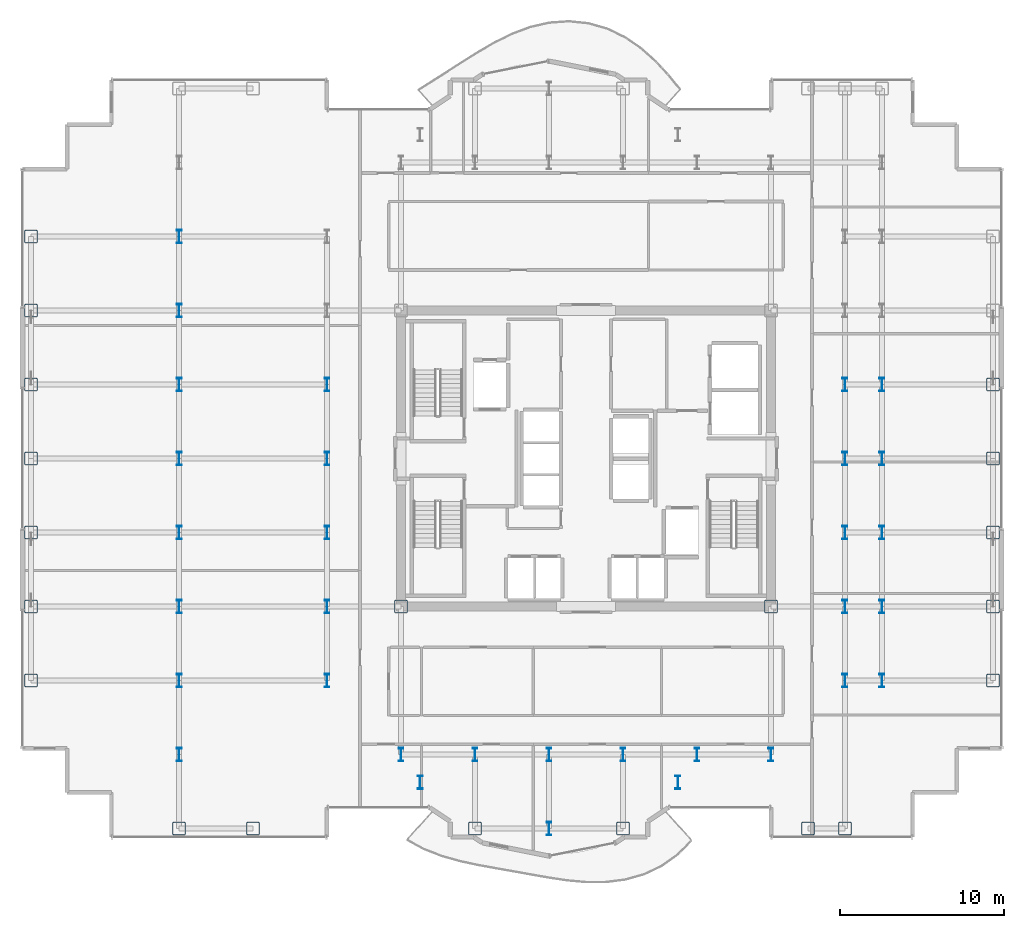
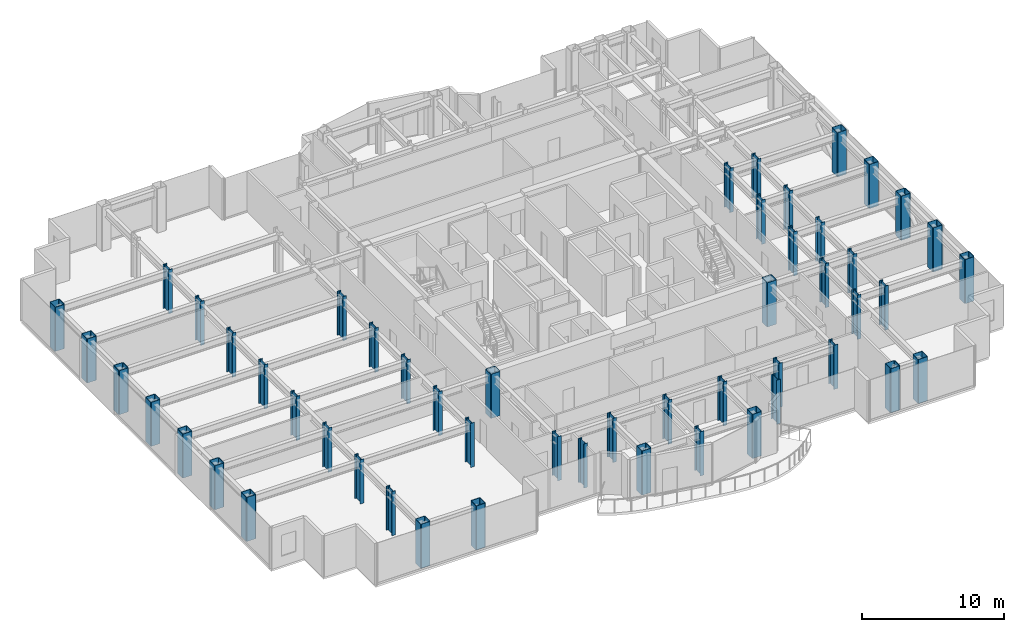
# One storey, part 1 of 25: 52 columns.
"""IFC4 building model written with IfcOpenShell, lengths in metres."""

from ifc_helpers import new_model, si_unit, direction, frame, origin, origin_2d, place, context, subcontext, project, spatial, hollow_rectangle, i_section, extrude, source, transform, mapped, material, material_profile, profile_set, type_object, element, save


model = new_model("IFC4")

# Units and contexts
model_context = context("Model", 3, precision=1e-05, world=origin(), true_north=direction((0.0, 1.0)))
body_context = subcontext(model_context, "Body", "Model", "MODEL_VIEW")
ifc_project = project(units=[si_unit("LENGTHUNIT", "METRE"), si_unit("AREAUNIT", "SQUARE_METRE"), si_unit("VOLUMEUNIT", "CUBIC_METRE"), si_unit("PLANEANGLEUNIT", "RADIAN"), si_unit("MASSUNIT", "GRAM", prefix="KILO")], contexts=[model_context])

# Site, building, storey
site_placement = place(None, origin())
site = spatial("IfcSite", under=ifc_project, at=site_placement, CompositionType="ELEMENT")
building_placement = place(site_placement, origin())
building = spatial("IfcBuilding", under=site, at=building_placement, Name="Nefas-Gora Pilgrimage Tower", CompositionType="ELEMENT")
storey_placement = place(building_placement, frame((0.0, 0.0, 194.39990234375)))
storey = spatial("IfcBuildingStorey", under=building, at=storey_placement, Name="L48", CompositionType="ELEMENT", Elevation=194.39990234375)

# Columns
ifc_material = material(Name="Steel S460", Category="steel")
ifc_material_profile_1 = material_profile(ifc_material, hollow_rectangle(XDim=0.800048828125, YDim=0.800048828125, WallThickness=0.0400390625, InnerFilletRadius=0.0400390625, OuterFilletRadius=0.080078125, at=origin_2d()), Name="BOX 800x800x40")
ifc_profile_set_1 = profile_set([ifc_material_profile_1], Name="Steel S460")
column_type_1 = type_object("IfcColumnType", Name="COL-TUBE-800", PredefinedType="COLUMN", material=ifc_profile_set_1)
shared_shape_1 = source(origin(), body_context, "Body", "SweptSolid", [
    extrude(hollow_rectangle(XDim=0.800048828125, YDim=0.800048828125, WallThickness=0.0400390625, InnerFilletRadius=0.0400390625, OuterFilletRadius=0.080078125, at=origin_2d()), origin(), (0.0, 0.0, 1.0), 3.800048828125),
])
for number, where, z_axis, x_axis, name in (
    (1, (-33.75, -13.5, 0.0), (0.0, 0.0, 1.0), (1.0, 0.0, 0.0), "L48 Tower Column C-Z2.1"),
    (2, (-33.75, -9.0, 0.0), (0.0, 0.0, 1.0), (1.0, 0.0, 0.0), "L48 Tower Column C-Z2.2"),
    (3, (-33.75, -4.5, 0.0), (0.0, 0.0, 1.0), (1.0, 0.0, 0.0), "L48 Tower Column C-Z2.3"),
    (4, (-33.75, 0.0, 0.0), (0.0, 0.0, 1.0), (1.0, 0.0, 0.0), "L48 Tower Column C-Z2.4"),
    (5, (-33.75, 4.5, 0.0), (0.0, 0.0, 1.0), (1.0, 0.0, 0.0), "L48 Tower Column C-Z2.5"),
    (6, (-33.75, 9.0, 0.0), (0.0, 0.0, 1.0), (1.0, 0.0, 0.0), "L48 Tower Column C-Z2.6"),
    (7, (-33.75, 13.5, 0.0), (0.0, 0.0, 1.0), (1.0, 0.0, 0.0), "L48 Tower Column C-Z2.7"),
    (8, (-24.75, -22.5, 0.0), (0.0, 0.0, 1.0), (1.0, 0.0, 0.0), "L48 Tower Column C-Z2.8"),
    (9, (-20.25, -22.5, 0.0), (0.0, 0.0, 1.0), (1.0, 0.0, 0.0), "L48 Tower Column C-Z2.19"),
    (10, (-6.75, -22.5, 0.0), (0.0, 0.0, 1.0), (1.0, 0.0, 0.0), "L48 Tower Column C-Z2.34"),
    (11, (2.25, -22.5, 0.0), (0.0, 0.0, 1.0), (1.0, 0.0, 0.0), "L48 Tower Column C-Z2.42"),
    (12, (13.5, -22.5, 0.0), (0.0, 0.0, 1.0), (1.0, 0.0, 0.0), "L48 Tower Column C-Z2.54"),
    (13, (15.75, -22.5, 0.0), (0.0, 0.0, 1.0), (1.0, 0.0, 0.0), "L48 Tower Column C-Z2.56"),
    (14, (24.75, -13.5, 0.0), (0.0, 0.0, 1.0), (1.0, 0.0, 0.0), "L48 Tower Column C-Z2.74"),
    (15, (24.75, -9.0, 0.0), (0.0, 0.0, 1.0), (1.0, 0.0, 0.0), "L48 Tower Column C-Z2.75"),
    (16, (24.75, -4.5, 0.0), (0.0, 0.0, 1.0), (1.0, 0.0, 0.0), "L48 Tower Column C-Z2.76"),
    (17, (24.75, 0.0, 0.0), (0.0, 0.0, 1.0), (1.0, 0.0, 0.0), "L48 Tower Column C-Z2.77"),
    (18, (24.75, 4.5, 0.0), (0.0, 0.0, 1.0), (1.0, 0.0, 0.0), "L48 Tower Column C-Z2.78"),
):
    element("IfcColumn", number, at=place(storey_placement, frame(where, z_axis=z_axis, x_axis=x_axis)), inside=storey, type_object=column_type_1, Name=name, PredefinedType="COLUMN", context=body_context, shape_type="MappedRepresentation", body=[
        mapped(shared_shape_1, transform((0.0, 0.0, 0.0), x_axis=(1.0, 0.0, 0.0), y_axis=(0.0, 1.0, 0.0), z_axis=(0.0, 0.0, 1.0), scale=1.0)),
    ])
ifc_material_profile_2 = material_profile(ifc_material, i_section(OverallWidth=0.302978515625, OverallDepth=0.81396484375, WebThickness=0.02099609375, FlangeThickness=0.0400390625, FilletRadius=0.030029296875, at=origin_2d()), Name="HEM 800")
ifc_profile_set_2 = profile_set([ifc_material_profile_2], Name="Steel S460")
column_type_2 = type_object("IfcColumnType", Name="COL-WEB-HEM800", PredefinedType="COLUMN", material=ifc_profile_set_2)
shared_shape_2 = source(origin(), body_context, "Body", "SweptSolid", [
    extrude(i_section(OverallWidth=0.302978515625, OverallDepth=0.81396484375, WebThickness=0.02099609375, FlangeThickness=0.0400390625, FilletRadius=0.030029296875, at=origin_2d()), origin(), (0.0, 0.0, 1.0), 3.800048828125),
])
for number, where, z_axis, x_axis, name in (
    (19, (-24.75, -18.0, 0.0), (0.0, 0.0, 1.0), (1.0, 0.0, 0.0), "L48 Tower Column CW-02.9"),
    (20, (-24.75, -13.5, 0.0), (0.0, 0.0, 1.0), (1.0, 0.0, 0.0), "L48 Tower Column CW-02.10"),
    (21, (-24.75, -9.0, 0.0), (0.0, 0.0, 1.0), (1.0, 0.0, 0.0), "L48 Tower Column CW-02.11"),
    (22, (-24.75, -4.5, 0.0), (0.0, 0.0, 1.0), (1.0, 0.0, 0.0), "L48 Tower Column CW-02.12"),
    (23, (-24.75, 0.0, 0.0), (0.0, 0.0, 1.0), (1.0, 0.0, 0.0), "L48 Tower Column CW-02.13"),
    (24, (-24.75, 4.5, 0.0), (0.0, 0.0, 1.0), (1.0, 0.0, 0.0), "L48 Tower Column CW-02.14"),
    (25, (-24.75, 9.0, 0.0), (0.0, 0.0, 1.0), (1.0, 0.0, 0.0), "L48 Tower Column CW-02.15"),
    (26, (-24.75, 13.5, 0.0), (0.0, 0.0, 1.0), (1.0, 0.0, 0.0), "L48 Tower Column CW-02.16"),
    (27, (-15.75, -13.5, 0.0), (0.0, 0.0, 1.0), (1.0, 0.0, 0.0), "L48 Tower Column CW-02.21"),
    (28, (-15.75, -9.0, 0.0), (0.0, 0.0, 1.0), (1.0, 0.0, 0.0), "L48 Tower Column CW-02.22"),
    (29, (-15.75, -4.5, 0.0), (0.0, 0.0, 1.0), (1.0, 0.0, 0.0), "L48 Tower Column CW-02.23"),
    (30, (-15.75, 0.0, 0.0), (0.0, 0.0, 1.0), (1.0, 0.0, 0.0), "L48 Tower Column CW-02.24"),
    (31, (-15.75, 4.5, 0.0), (0.0, 0.0, 1.0), (1.0, 0.0, 0.0), "L48 Tower Column CW-02.25"),
    (32, (-11.25, -18.0, 0.0), (0.0, 0.0, 1.0), (1.0, 0.0, 0.0), "L48 Tower Column CW-02.28"),
    (33, (-10.091064453125, -19.696044921875, 0.0), (0.0, 0.0, 1.0), (1.0, 0.0, 0.0), "L48 Tower Column CW-02.32"),
    (34, (-6.75, -18.0, 0.0), (0.0, 0.0, 1.0), (1.0, 0.0, 0.0), "L48 Tower Column CW-02.35"),
    (35, (-2.25, -22.5, 0.0), (0.0, 0.0, 1.0), (1.0, 0.0, 0.0), "L48 Tower Column CW-02.38"),
    (36, (-2.25, -18.0, 0.0), (0.0, 0.0, 1.0), (1.0, 0.0, 0.0), "L48 Tower Column CW-02.39"),
    (37, (2.25, -18.0, 0.0), (0.0, 0.0, 1.0), (1.0, 0.0, 0.0), "L48 Tower Column CW-02.43"),
    (38, (5.591064453125, -19.696044921875, 0.0), (0.0, 0.0, 1.0), (1.0, 0.0, 0.0), "L48 Tower Column CW-02.46"),
    (39, (6.75, -18.0, 0.0), (0.0, 0.0, 1.0), (1.0, 0.0, 0.0), "L48 Tower Column CW-02.48"),
    (40, (11.25, -18.0, 0.0), (0.0, 0.0, 1.0), (1.0, 0.0, 0.0), "L48 Tower Column CW-02.50"),
    (41, (15.75, -13.5, 0.0), (0.0, 0.0, 1.0), (1.0, 0.0, 0.0), "L48 Tower Column CW-02.57"),
    (42, (15.75, -9.0, 0.0), (0.0, 0.0, 1.0), (1.0, 0.0, 0.0), "L48 Tower Column CW-02.58"),
    (43, (15.75, -4.5, 0.0), (0.0, 0.0, 1.0), (1.0, 0.0, 0.0), "L48 Tower Column CW-02.59"),
    (44, (15.75, 0.0, 0.0), (0.0, 0.0, 1.0), (1.0, 0.0, 0.0), "L48 Tower Column CW-02.60"),
    (45, (15.75, 4.5, 0.0), (0.0, 0.0, 1.0), (1.0, 0.0, 0.0), "L48 Tower Column CW-02.61"),
    (46, (18.0, -13.5, 0.0), (0.0, 0.0, 1.0), (1.0, 0.0, 0.0), "L48 Tower Column CW-02.65"),
    (47, (18.0, -9.0, 0.0), (0.0, 0.0, 1.0), (1.0, 0.0, 0.0), "L48 Tower Column CW-02.66"),
    (48, (18.0, -4.5, 0.0), (0.0, 0.0, 1.0), (1.0, 0.0, 0.0), "L48 Tower Column CW-02.67"),
    (49, (18.0, 0.0, 0.0), (0.0, 0.0, 1.0), (1.0, 0.0, 0.0), "L48 Tower Column CW-02.68"),
    (50, (18.0, 4.5, 0.0), (0.0, 0.0, 1.0), (1.0, 0.0, 0.0), "L48 Tower Column CW-02.69"),
):
    element("IfcColumn", number, at=place(storey_placement, frame(where, z_axis=z_axis, x_axis=x_axis)), inside=storey, type_object=column_type_2, Name=name, PredefinedType="COLUMN", context=body_context, shape_type="MappedRepresentation", body=[
        mapped(shared_shape_2, transform((0.0, 0.0, 0.0), x_axis=(1.0, 0.0, 0.0), y_axis=(0.0, 1.0, 0.0), z_axis=(0.0, 0.0, 1.0), scale=1.0)),
    ])
ifc_material_profile_3 = material_profile(ifc_material, hollow_rectangle(XDim=0.800048828125, YDim=0.800048828125, WallThickness=0.0400390625, InnerFilletRadius=0.0400390625, OuterFilletRadius=0.080078125, at=origin_2d()), Name="BOX 800x800x40")
ifc_profile_set_3 = profile_set([ifc_material_profile_3], Name="Steel S460")
column_type_3 = type_object("IfcColumnType", Name="COL-CORE-800", PredefinedType="COLUMN", material=ifc_profile_set_3)
shared_shape_3 = source(origin(), body_context, "Body", "SweptSolid", [
    extrude(hollow_rectangle(XDim=0.800048828125, YDim=0.800048828125, WallThickness=0.0400390625, InnerFilletRadius=0.0400390625, OuterFilletRadius=0.080078125, at=origin_2d()), origin(), (0.0, 0.0, 1.0), 3.800048828125),
])
for number, where, z_axis, x_axis, name in (
    (51, (-11.25, -9.0, 0.0), (0.0, 0.0, 1.0), (1.0, 0.0, 0.0), "L48 Tower Column CC-Z2.29"),
    (52, (11.25, -9.0, 0.0), (0.0, 0.0, 1.0), (1.0, 0.0, 0.0), "L48 Tower Column CC-Z2.51"),
):
    element("IfcColumn", number, at=place(storey_placement, frame(where, z_axis=z_axis, x_axis=x_axis)), inside=storey, type_object=column_type_3, Name=name, PredefinedType="COLUMN", context=body_context, shape_type="MappedRepresentation", body=[
        mapped(shared_shape_3, transform((0.0, 0.0, 0.0), x_axis=(1.0, 0.0, 0.0), y_axis=(0.0, 1.0, 0.0), z_axis=(0.0, 0.0, 1.0), scale=1.0)),
    ])

save(model, "model.ifc")
